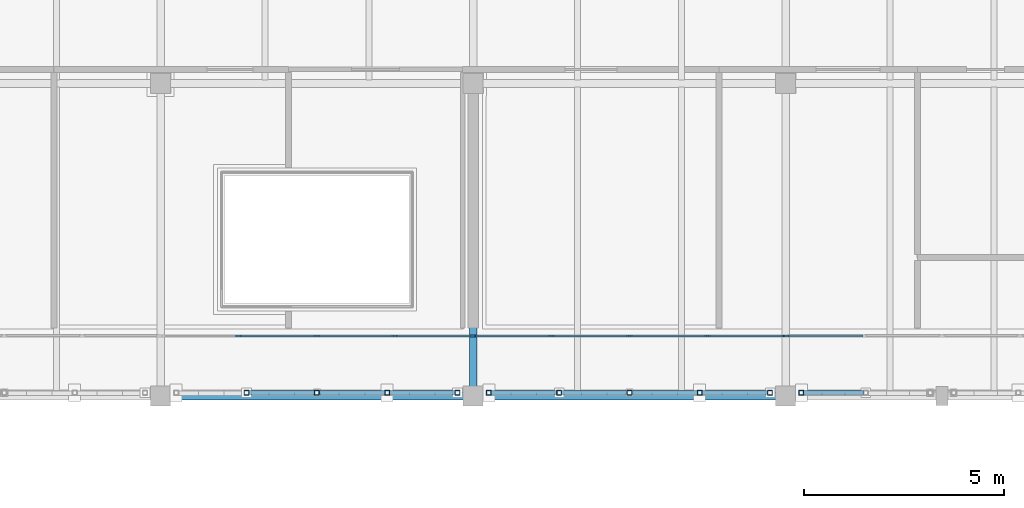
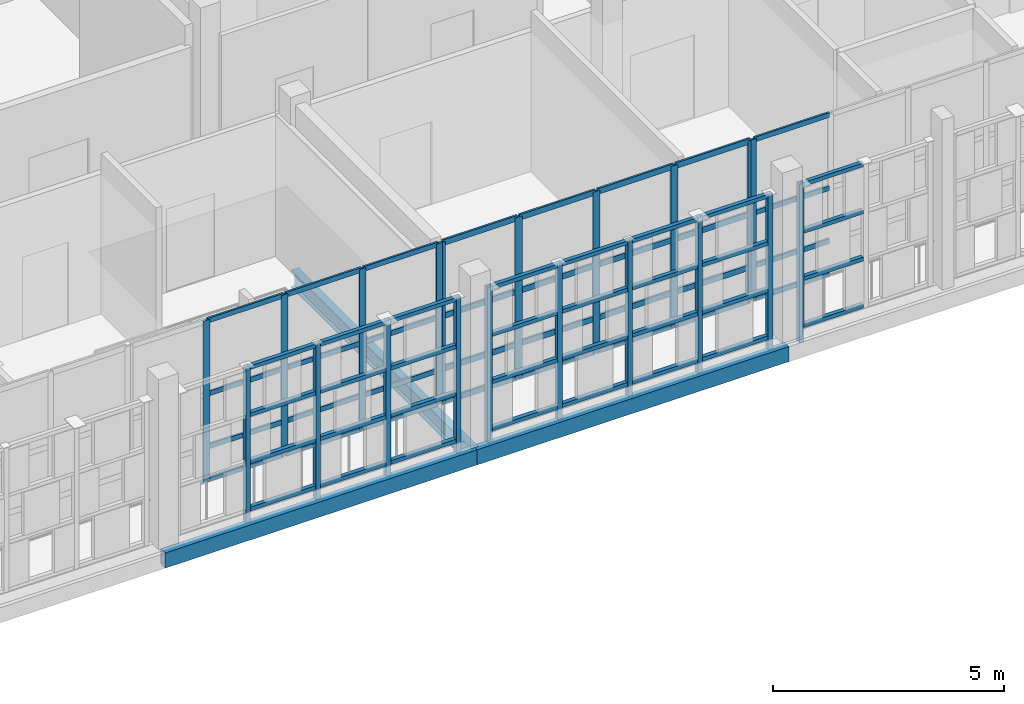
# One storey, part 35 of 89: 84 members, 3 beams, 3 elements without a shape of their own.
"""IFC4 building model written with IfcOpenShell, lengths in metres."""

from ifc_helpers import new_model, si_unit, direction, frame, origin, origin_2d, place, context, subcontext, project, spatial, rectangle, hollow_rectangle, i_section, extrude, material, layer, layer_set, material_profile, profile_set, type_object, element, aggregate, save


model = new_model("IFC4")

# Units and contexts
model_context = context("Model", 3, precision=1e-05, world=origin(), true_north=direction((0.0, 1.0)))
body_context = subcontext(model_context, "Body", "Model", "MODEL_VIEW")
ifc_project = project(units=[si_unit("LENGTHUNIT", "METRE"), si_unit("AREAUNIT", "SQUARE_METRE"), si_unit("VOLUMEUNIT", "CUBIC_METRE"), si_unit("PLANEANGLEUNIT", "RADIAN"), si_unit("MASSUNIT", "GRAM", prefix="KILO")], contexts=[model_context])

# Site, building, storey
site_placement = place(None, origin())
site = spatial("IfcSite", under=ifc_project, at=site_placement, CompositionType="ELEMENT")
building_placement = place(site_placement, origin())
building = spatial("IfcBuilding", under=site, at=building_placement, Name="Celorna Specialist Clinic", CompositionType="ELEMENT")
storey_placement = place(building_placement, frame((0.0, 0.0, 14.10009765625)))
storey = spatial("IfcBuildingStorey", under=building, at=storey_placement, Name="L03", CompositionType="ELEMENT", Elevation=14.10009765625)

# Beams
ifc_material_1 = material(Name="Steel S355", Category="steel")
ifc_material_profile_1 = material_profile(ifc_material_1, i_section(OverallWidth=0.18994140625, OverallDepth=0.449951171875, WebThickness=0.009521484375, FlangeThickness=0.0146484375, at=origin_2d()), Name="IPE 450")
ifc_profile_set_1 = profile_set([ifc_material_profile_1], Name="Steel S355")
beam_type_1 = type_object("IfcBeamType", Name="BM-09", PredefinedType="BEAM", material=ifc_profile_set_1)
beam_placement = place(storey_placement, frame((70.199951171875, 96.5, -0.485107421875), z_axis=(0.0, 1.0, 0.0), x_axis=(-1.0, 0.0, 0.0)))
element("IfcBeam", 1, at=beam_placement, inside=storey, type_object=beam_type_1, Name="Transverse girder BM-09 #1254", PredefinedType="BEAM", context=body_context, shape_type="SweptSolid", body=[
    extrude(i_section(OverallWidth=0.18994140625, OverallDepth=0.449951171875, WebThickness=0.009521484375, FlangeThickness=0.0146484375, at=origin_2d()), origin(), (0.0, 0.0, 1.0), 7.800048828125),
])
ifc_material_profile_2 = material_profile(ifc_material_1, hollow_rectangle(XDim=0.199951171875, YDim=0.39990234375, WallThickness=0.011962890625, at=origin_2d()), Name="RHS 200x400x12")
ifc_profile_set_2 = profile_set([ifc_material_profile_2], Name="Steel S355")
beam_type_2 = type_object("IfcBeamType", Name="BM-15", PredefinedType="SPANDREL", material=ifc_profile_set_2)
for number, where, z_axis, x_axis, name in (
    (2, (62.39990234375, 96.5, -0.460205078125), (1.0, 0.0, 0.0), (0.0, 1.0, 0.0), "Spandrel beam BM-15 #1203"),
    (3, (70.199951171875, 96.5, -0.460205078125), (1.0, 0.0, 0.0), (0.0, 1.0, 0.0), "Spandrel beam BM-15 #1204"),
):
    element("IfcBeam", number, at=place(storey_placement, frame(where, z_axis=z_axis, x_axis=x_axis)), inside=storey, type_object=beam_type_2, Name=name, PredefinedType="SPANDREL", context=body_context, shape_type="SweptSolid", body=[
        extrude(hollow_rectangle(XDim=0.199951171875, YDim=0.39990234375, WallThickness=0.011962890625, at=origin_2d()), origin(), (0.0, 0.0, 1.0), 7.800048828125),
    ])

# Members
ifc_material_profile_3 = material_profile(ifc_material_1, hollow_rectangle(XDim=0.1201171875, YDim=0.1201171875, WallThickness=0.008056640625, at=origin_2d()), Name="SHS 120x120x8")
ifc_profile_set_3 = profile_set([ifc_material_profile_3], Name="Steel S355")
member_type_1 = type_object("IfcMemberType", Name="MB-11", PredefinedType="STUD", material=ifc_profile_set_3)
for number, where, z_axis, x_axis, name in (
    (4, (64.544921875, 96.580078125, -0.360107421875), (0.0, 0.0, 1.0), (1.0, 0.0, 0.0), "Perforated screen steel post #1274"),
    (5, (66.300048828125, 96.580078125, -0.360107421875), (0.0, 0.0, 1.0), (1.0, 0.0, 0.0), "Perforated screen steel post #1275"),
    (6, (68.054931640625, 96.580078125, -0.360107421875), (0.0, 0.0, 1.0), (1.0, 0.0, 0.0), "Perforated screen steel post #1276"),
    (7, (69.81005859375, 96.580078125, -0.360107421875), (0.0, 0.0, 1.0), (1.0, 0.0, 0.0), "Perforated screen steel post #1277"),
    (8, (70.590087890625, 96.580078125, -0.360107421875), (0.0, 0.0, 1.0), (1.0, 0.0, 0.0), "Perforated screen steel post #1294"),
    (9, (72.344970703125, 96.580078125, -0.360107421875), (0.0, 0.0, 1.0), (1.0, 0.0, 0.0), "Perforated screen steel post #1295"),
    (10, (74.10009765625, 96.580078125, -0.360107421875), (0.0, 0.0, 1.0), (1.0, 0.0, 0.0), "Perforated screen steel post #1296"),
    (11, (75.85498046875, 96.580078125, -0.360107421875), (0.0, 0.0, 1.0), (1.0, 0.0, 0.0), "Perforated screen steel post #1297"),
    (12, (77.610107421875, 96.580078125, -0.360107421875), (0.0, 0.0, 1.0), (1.0, 0.0, 0.0), "Perforated screen steel post #1298"),
    (13, (78.389892578125, 96.580078125, -0.360107421875), (0.0, 0.0, 1.0), (1.0, 0.0, 0.0), "Perforated screen steel post #1315"),
):
    element("IfcMember", number, at=place(storey_placement, frame(where, z_axis=z_axis, x_axis=x_axis)), inside=storey, type_object=member_type_1, Name=name, PredefinedType="STUD", context=body_context, shape_type="SweptSolid", body=[
        extrude(hollow_rectangle(XDim=0.1201171875, YDim=0.1201171875, WallThickness=0.008056640625, at=origin_2d()), origin(), (0.0, 0.0, 1.0), 4.199951171875),
    ])
ifc_material_profile_4 = material_profile(ifc_material_1, hollow_rectangle(XDim=0.10009765625, YDim=0.10009765625, WallThickness=0.006103515625, at=origin_2d()), Name="SHS 100x100x6")
ifc_profile_set_4 = profile_set([ifc_material_profile_4], Name="Steel S355")
member_type_2 = type_object("IfcMemberType", Name="MB-12", PredefinedType="STUD", material=ifc_profile_set_4)
for number, where, z_axis, x_axis, name in (
    (14, (64.60498046875, 96.580078125, 0.0498046875), (1.0, 0.0, 0.0), (0.0, 1.0, 0.0), "Perforated screen rail #1282"),
    (15, (64.60498046875, 96.580078125, 1.296630859375), (1.0, 0.0, 0.0), (0.0, 1.0, 0.0), "Perforated screen rail #1283"),
    (16, (64.60498046875, 96.580078125, 2.543212890625), (1.0, 0.0, 0.0), (0.0, 1.0, 0.0), "Perforated screen rail #1284"),
    (17, (64.60498046875, 96.580078125, 3.789794921875), (1.0, 0.0, 0.0), (0.0, 1.0, 0.0), "Perforated screen rail #1285"),
    (18, (66.360107421875, 96.580078125, 0.0498046875), (1.0, 0.0, 0.0), (0.0, 1.0, 0.0), "Perforated screen rail #1286"),
    (19, (66.360107421875, 96.580078125, 1.296630859375), (1.0, 0.0, 0.0), (0.0, 1.0, 0.0), "Perforated screen rail #1287"),
    (20, (66.360107421875, 96.580078125, 2.543212890625), (1.0, 0.0, 0.0), (0.0, 1.0, 0.0), "Perforated screen rail #1288"),
    (21, (66.360107421875, 96.580078125, 3.789794921875), (1.0, 0.0, 0.0), (0.0, 1.0, 0.0), "Perforated screen rail #1289"),
    (22, (68.114990234375, 96.580078125, 0.0498046875), (1.0, 0.0, 0.0), (0.0, 1.0, 0.0), "Perforated screen rail #1290"),
    (23, (68.114990234375, 96.580078125, 1.296630859375), (1.0, 0.0, 0.0), (0.0, 1.0, 0.0), "Perforated screen rail #1291"),
    (24, (68.114990234375, 96.580078125, 2.543212890625), (1.0, 0.0, 0.0), (0.0, 1.0, 0.0), "Perforated screen rail #1292"),
    (25, (68.114990234375, 96.580078125, 3.789794921875), (1.0, 0.0, 0.0), (0.0, 1.0, 0.0), "Perforated screen rail #1293"),
    (26, (70.64990234375, 96.580078125, 0.0498046875), (1.0, 0.0, 0.0), (0.0, 1.0, 0.0), "Perforated screen rail #1299"),
    (27, (70.64990234375, 96.580078125, 1.296630859375), (1.0, 0.0, 0.0), (0.0, 1.0, 0.0), "Perforated screen rail #1300"),
    (28, (70.64990234375, 96.580078125, 2.543212890625), (1.0, 0.0, 0.0), (0.0, 1.0, 0.0), "Perforated screen rail #1301"),
    (29, (70.64990234375, 96.580078125, 3.789794921875), (1.0, 0.0, 0.0), (0.0, 1.0, 0.0), "Perforated screen rail #1302"),
    (30, (72.405029296875, 96.580078125, 0.0498046875), (1.0, 0.0, 0.0), (0.0, 1.0, 0.0), "Perforated screen rail #1303"),
    (31, (72.405029296875, 96.580078125, 1.296630859375), (1.0, 0.0, 0.0), (0.0, 1.0, 0.0), "Perforated screen rail #1304"),
    (32, (72.405029296875, 96.580078125, 2.543212890625), (1.0, 0.0, 0.0), (0.0, 1.0, 0.0), "Perforated screen rail #1305"),
    (33, (72.405029296875, 96.580078125, 3.789794921875), (1.0, 0.0, 0.0), (0.0, 1.0, 0.0), "Perforated screen rail #1306"),
    (34, (74.159912109375, 96.580078125, 0.0498046875), (1.0, 0.0, 0.0), (0.0, 1.0, 0.0), "Perforated screen rail #1307"),
    (35, (74.159912109375, 96.580078125, 1.296630859375), (1.0, 0.0, 0.0), (0.0, 1.0, 0.0), "Perforated screen rail #1308"),
    (36, (74.159912109375, 96.580078125, 2.543212890625), (1.0, 0.0, 0.0), (0.0, 1.0, 0.0), "Perforated screen rail #1309"),
    (37, (74.159912109375, 96.580078125, 3.789794921875), (1.0, 0.0, 0.0), (0.0, 1.0, 0.0), "Perforated screen rail #1310"),
    (38, (75.9150390625, 96.580078125, 0.0498046875), (1.0, 0.0, 0.0), (0.0, 1.0, 0.0), "Perforated screen rail #1311"),
    (39, (75.9150390625, 96.580078125, 1.296630859375), (1.0, 0.0, 0.0), (0.0, 1.0, 0.0), "Perforated screen rail #1312"),
    (40, (75.9150390625, 96.580078125, 2.543212890625), (1.0, 0.0, 0.0), (0.0, 1.0, 0.0), "Perforated screen rail #1313"),
    (41, (75.9150390625, 96.580078125, 3.789794921875), (1.0, 0.0, 0.0), (0.0, 1.0, 0.0), "Perforated screen rail #1314"),
):
    element("IfcMember", number, at=place(storey_placement, frame(where, z_axis=z_axis, x_axis=x_axis)), inside=storey, type_object=member_type_2, Name=name, PredefinedType="STUD", context=body_context, shape_type="SweptSolid", body=[
        extrude(hollow_rectangle(XDim=0.10009765625, YDim=0.10009765625, WallThickness=0.006103515625, at=origin_2d()), origin(), (0.0, 0.0, 1.0), 1.635009765625),
    ])
for number, where, z_axis, x_axis, name in (
    (42, (78.449951171875, 96.580078125, 0.0498046875), (1.0, 0.0, 0.0), (0.0, 1.0, 0.0), "Perforated screen rail #1318"),
    (43, (78.449951171875, 96.580078125, 1.296630859375), (1.0, 0.0, 0.0), (0.0, 1.0, 0.0), "Perforated screen rail #1319"),
    (44, (78.449951171875, 96.580078125, 2.543212890625), (1.0, 0.0, 0.0), (0.0, 1.0, 0.0), "Perforated screen rail #1320"),
    (45, (78.449951171875, 96.580078125, 3.789794921875), (1.0, 0.0, 0.0), (0.0, 1.0, 0.0), "Perforated screen rail #1321"),
):
    element("IfcMember", number, at=place(storey_placement, frame(where, z_axis=z_axis, x_axis=x_axis)), inside=storey, type_object=member_type_2, Name=name, PredefinedType="STUD", context=body_context, shape_type="SweptSolid", body=[
        extrude(hollow_rectangle(XDim=0.10009765625, YDim=0.10009765625, WallThickness=0.006103515625, at=origin_2d()), origin(), (0.0, 0.0, 1.0), 1.489990234375),
    ])

# Curtain wall, members
ifc_material_2 = material(Name="Thermally broken aluminium and solar-control glass curtain wall", Category="aluminium")
ifc_layer_1 = layer(ifc_material_2, 0.159912109375, Name="Thermally broken aluminium and solar-control glass curtain wall")
ifc_layer_set_1 = layer_set([ifc_layer_1], Name="Thermally broken aluminium and solar-control glass curtain wall")
curtain_wall_type_1 = type_object("IfcCurtainWallType", Name="CW-70", PredefinedType="NOTDEFINED", material=ifc_layer_set_1)
curtain_wall_1_placement = place(storey_placement, origin())
curtain_wall_1 = element("IfcCurtainWall", 46, at=curtain_wall_1_placement, inside=storey, type_object=curtain_wall_type_1, Name="Curtain wall CW-70 #130", PredefinedType="NOTDEFINED")
ifc_material_3 = material(Name="Anodized aluminium mullion", Category="aluminium")
ifc_material_profile_5 = material_profile(ifc_material_3, rectangle(XDim=0.050048828125, YDim=0.159912109375, at=origin_2d()), Name="ALU MULLION 50x160")
ifc_profile_set_5 = profile_set([ifc_material_profile_5], Name="Anodized aluminium mullion")
member_type_3 = type_object("IfcMemberType", Name="ML-01", PredefinedType="MULLION", material=ifc_profile_set_5)
member_1_placement = place(storey_placement, frame((70.1708984375, 98.0, 0.0), z_axis=(0.0, 0.0, 1.0), x_axis=(0.0, -1.0, 0.0)))
member_1 = element("IfcMember", 47, at=member_1_placement, type_object=member_type_3, Name="CW-70 mullion 1", PredefinedType="MULLION", context=body_context, shape_type="SweptSolid", body=[
    extrude(rectangle(XDim=0.050048828125, YDim=0.159912109375, at=origin_2d()), origin(), (0.0, 0.0, 1.0), 4.260009765625),
])
member_2_placement = place(storey_placement, frame((68.248046875, 98.0, 0.0), z_axis=(0.0, 0.0, 1.0), x_axis=(0.0, -1.0, 0.0)))
member_2 = element("IfcMember", 48, at=member_2_placement, type_object=member_type_3, Name="CW-70 mullion 2", PredefinedType="MULLION", context=body_context, shape_type="SweptSolid", body=[
    extrude(rectangle(XDim=0.050048828125, YDim=0.159912109375, at=origin_2d()), origin(), (0.0, 0.0, 1.0), 4.260009765625),
])
member_3_placement = place(storey_placement, frame((66.300048828125, 98.0, 0.0), z_axis=(0.0, 0.0, 1.0), x_axis=(0.0, -1.0, 0.0)))
member_3 = element("IfcMember", 49, at=member_3_placement, type_object=member_type_3, Name="CW-70 mullion 3", PredefinedType="MULLION", context=body_context, shape_type="SweptSolid", body=[
    extrude(rectangle(XDim=0.050048828125, YDim=0.159912109375, at=origin_2d()), origin(), (0.0, 0.0, 1.0), 4.260009765625),
])
member_4_placement = place(storey_placement, frame((64.35205078125, 98.0, 0.0), z_axis=(0.0, 0.0, 1.0), x_axis=(0.0, -1.0, 0.0)))
member_4 = element("IfcMember", 50, at=member_4_placement, type_object=member_type_3, Name="CW-70 mullion 4", PredefinedType="MULLION", context=body_context, shape_type="SweptSolid", body=[
    extrude(rectangle(XDim=0.050048828125, YDim=0.159912109375, at=origin_2d()), origin(), (0.0, 0.0, 1.0), 4.260009765625),
])

ifc_layer_2 = layer(ifc_material_2, 0.159912109375, Name="Thermally broken aluminium and solar-control glass curtain wall")
ifc_layer_set_2 = layer_set([ifc_layer_2], Name="Thermally broken aluminium and solar-control glass curtain wall")
curtain_wall_type_2 = type_object("IfcCurtainWallType", Name="CW-71", PredefinedType="NOTDEFINED", material=ifc_layer_set_2)
curtain_wall_2_placement = place(storey_placement, origin())
curtain_wall_2 = element("IfcCurtainWall", 51, at=curtain_wall_2_placement, inside=storey, type_object=curtain_wall_type_2, Name="Curtain wall CW-71 #131", PredefinedType="NOTDEFINED")
ifc_material_profile_6 = material_profile(ifc_material_3, rectangle(XDim=0.050048828125, YDim=0.179931640625, at=origin_2d()), Name="ALU MULLION 50x180")
ifc_profile_set_6 = profile_set([ifc_material_profile_6], Name="Anodized aluminium mullion")
member_type_4 = type_object("IfcMemberType", Name="ML-02", PredefinedType="MULLION", material=ifc_profile_set_6)
member_5_placement = place(storey_placement, frame((77.970947265625, 98.0, 0.0), z_axis=(0.0, 0.0, 1.0), x_axis=(0.0, -1.0, 0.0)))
member_5 = element("IfcMember", 52, at=member_5_placement, type_object=member_type_4, Name="CW-71 mullion 1", PredefinedType="MULLION", context=body_context, shape_type="SweptSolid", body=[
    extrude(rectangle(XDim=0.050048828125, YDim=0.179931640625, at=origin_2d()), origin(), (0.0, 0.0, 1.0), 4.260009765625),
])
member_6_placement = place(storey_placement, frame((76.048095703125, 98.0, 0.0), z_axis=(0.0, 0.0, 1.0), x_axis=(0.0, -1.0, 0.0)))
member_6 = element("IfcMember", 53, at=member_6_placement, type_object=member_type_4, Name="CW-71 mullion 2", PredefinedType="MULLION", context=body_context, shape_type="SweptSolid", body=[
    extrude(rectangle(XDim=0.050048828125, YDim=0.179931640625, at=origin_2d()), origin(), (0.0, 0.0, 1.0), 4.260009765625),
])
member_7_placement = place(storey_placement, frame((74.10009765625, 98.0, 0.0), z_axis=(0.0, 0.0, 1.0), x_axis=(0.0, -1.0, 0.0)))
member_7 = element("IfcMember", 54, at=member_7_placement, type_object=member_type_4, Name="CW-71 mullion 3", PredefinedType="MULLION", context=body_context, shape_type="SweptSolid", body=[
    extrude(rectangle(XDim=0.050048828125, YDim=0.179931640625, at=origin_2d()), origin(), (0.0, 0.0, 1.0), 4.260009765625),
])
member_8_placement = place(storey_placement, frame((72.152099609375, 98.0, 0.0), z_axis=(0.0, 0.0, 1.0), x_axis=(0.0, -1.0, 0.0)))
member_8 = element("IfcMember", 55, at=member_8_placement, type_object=member_type_4, Name="CW-71 mullion 4", PredefinedType="MULLION", context=body_context, shape_type="SweptSolid", body=[
    extrude(rectangle(XDim=0.050048828125, YDim=0.179931640625, at=origin_2d()), origin(), (0.0, 0.0, 1.0), 4.260009765625),
])
member_9_placement = place(storey_placement, frame((70.22900390625, 98.0, 0.0), z_axis=(0.0, 0.0, 1.0), x_axis=(0.0, -1.0, 0.0)))
member_9 = element("IfcMember", 56, at=member_9_placement, type_object=member_type_4, Name="CW-71 mullion 5", PredefinedType="MULLION", context=body_context, shape_type="SweptSolid", body=[
    extrude(rectangle(XDim=0.050048828125, YDim=0.179931640625, at=origin_2d()), origin(), (0.0, 0.0, 1.0), 4.260009765625),
])

# Curtain wall, member
ifc_layer_3 = layer(ifc_material_2, 0.159912109375, Name="Thermally broken aluminium and solar-control glass curtain wall")
ifc_layer_set_3 = layer_set([ifc_layer_3], Name="Thermally broken aluminium and solar-control glass curtain wall")
curtain_wall_type_3 = type_object("IfcCurtainWallType", Name="CW-69", PredefinedType="NOTDEFINED", material=ifc_layer_set_3)
curtain_wall_3_placement = place(storey_placement, origin())
curtain_wall_3 = element("IfcCurtainWall", 57, at=curtain_wall_3_placement, inside=storey, type_object=curtain_wall_type_3, Name="Curtain wall CW-69 #132", PredefinedType="NOTDEFINED")
ifc_material_profile_7 = material_profile(ifc_material_3, rectangle(XDim=0.050048828125, YDim=0.139892578125, at=origin_2d()), Name="ALU MULLION 50x140")
ifc_profile_set_7 = profile_set([ifc_material_profile_7], Name="Anodized aluminium mullion")
member_type_5 = type_object("IfcMemberType", Name="ML-03", PredefinedType="MULLION", material=ifc_profile_set_7)
member_10_placement = place(storey_placement, frame((78.029052734375, 98.0, 0.0), z_axis=(0.0, 0.0, 1.0), x_axis=(0.0, -1.0, 0.0)))
member_10 = element("IfcMember", 58, at=member_10_placement, type_object=member_type_5, Name="CW-69 mullion 5", PredefinedType="MULLION", context=body_context, shape_type="SweptSolid", body=[
    extrude(rectangle(XDim=0.050048828125, YDim=0.139892578125, at=origin_2d()), origin(), (0.0, 0.0, 1.0), 4.260009765625),
])

# Member
ifc_material_4 = material(Name="Anodized aluminium transom", Category="aluminium")
ifc_material_profile_8 = material_profile(ifc_material_4, rectangle(XDim=0.050048828125, YDim=0.1298828125, at=origin_2d()), Name="ALU TRANSOM 50x130")
ifc_profile_set_8 = profile_set([ifc_material_profile_8], Name="Anodized aluminium transom")
member_type_6 = type_object("IfcMemberType", Name="TR-01", PredefinedType="USERDEFINED", material=ifc_profile_set_8)
member_11_placement = place(storey_placement, frame((70.14599609375, 98.0, 0.02490234375), z_axis=(-1.0, 0.0, 0.0), x_axis=(0.0, -1.0, 0.0)))
member_11 = element("IfcMember", 59, at=member_11_placement, type_object=member_type_6, Name="CW-70 transom 1.1", ObjectType="TRANSOM", PredefinedType="USERDEFINED", context=body_context, shape_type="SweptSolid", body=[
    extrude(rectangle(XDim=0.050048828125, YDim=0.1298828125, at=origin_2d()), origin(), (0.0, 0.0, 1.0), 1.873046875),
])

member_12_placement = place(storey_placement, frame((70.14599609375, 98.0, 0.89990234375), z_axis=(-1.0, 0.0, 0.0), x_axis=(0.0, -1.0, 0.0)))
member_12 = element("IfcMember", 60, at=member_12_placement, type_object=member_type_6, Name="CW-70 transom 1.2", ObjectType="TRANSOM", PredefinedType="USERDEFINED", context=body_context, shape_type="SweptSolid", body=[
    extrude(rectangle(XDim=0.050048828125, YDim=0.1298828125, at=origin_2d()), origin(), (0.0, 0.0, 1.0), 1.873046875),
])

member_13_placement = place(storey_placement, frame((70.14599609375, 98.0, 2.2998046875), z_axis=(-1.0, 0.0, 0.0), x_axis=(0.0, -1.0, 0.0)))
member_13 = element("IfcMember", 61, at=member_13_placement, type_object=member_type_6, Name="CW-70 transom 1.3", ObjectType="TRANSOM", PredefinedType="USERDEFINED", context=body_context, shape_type="SweptSolid", body=[
    extrude(rectangle(XDim=0.050048828125, YDim=0.1298828125, at=origin_2d()), origin(), (0.0, 0.0, 1.0), 1.873046875),
])

member_14_placement = place(storey_placement, frame((70.14599609375, 98.0, 4.23486328125), z_axis=(-1.0, 0.0, 0.0), x_axis=(0.0, -1.0, 0.0)))
member_14 = element("IfcMember", 62, at=member_14_placement, type_object=member_type_6, Name="CW-70 transom 1.4", ObjectType="TRANSOM", PredefinedType="USERDEFINED", context=body_context, shape_type="SweptSolid", body=[
    extrude(rectangle(XDim=0.050048828125, YDim=0.1298828125, at=origin_2d()), origin(), (0.0, 0.0, 1.0), 1.873046875),
])

member_15_placement = place(storey_placement, frame((68.222900390625, 98.0, 0.02490234375), z_axis=(-1.0, 0.0, 0.0), x_axis=(0.0, -1.0, 0.0)))
member_15 = element("IfcMember", 63, at=member_15_placement, type_object=member_type_6, Name="CW-70 transom 2.1", ObjectType="TRANSOM", PredefinedType="USERDEFINED", context=body_context, shape_type="SweptSolid", body=[
    extrude(rectangle(XDim=0.050048828125, YDim=0.1298828125, at=origin_2d()), origin(), (0.0, 0.0, 1.0), 1.89794921875),
])

member_16_placement = place(storey_placement, frame((68.222900390625, 98.0, 0.89990234375), z_axis=(-1.0, 0.0, 0.0), x_axis=(0.0, -1.0, 0.0)))
member_16 = element("IfcMember", 64, at=member_16_placement, type_object=member_type_6, Name="CW-70 transom 2.2", ObjectType="TRANSOM", PredefinedType="USERDEFINED", context=body_context, shape_type="SweptSolid", body=[
    extrude(rectangle(XDim=0.050048828125, YDim=0.1298828125, at=origin_2d()), origin(), (0.0, 0.0, 1.0), 1.89794921875),
])

member_17_placement = place(storey_placement, frame((68.222900390625, 98.0, 2.2998046875), z_axis=(-1.0, 0.0, 0.0), x_axis=(0.0, -1.0, 0.0)))
member_17 = element("IfcMember", 65, at=member_17_placement, type_object=member_type_6, Name="CW-70 transom 2.3", ObjectType="TRANSOM", PredefinedType="USERDEFINED", context=body_context, shape_type="SweptSolid", body=[
    extrude(rectangle(XDim=0.050048828125, YDim=0.1298828125, at=origin_2d()), origin(), (0.0, 0.0, 1.0), 1.89794921875),
])

member_18_placement = place(storey_placement, frame((68.222900390625, 98.0, 4.23486328125), z_axis=(-1.0, 0.0, 0.0), x_axis=(0.0, -1.0, 0.0)))
member_18 = element("IfcMember", 66, at=member_18_placement, type_object=member_type_6, Name="CW-70 transom 2.4", ObjectType="TRANSOM", PredefinedType="USERDEFINED", context=body_context, shape_type="SweptSolid", body=[
    extrude(rectangle(XDim=0.050048828125, YDim=0.1298828125, at=origin_2d()), origin(), (0.0, 0.0, 1.0), 1.89794921875),
])

member_19_placement = place(storey_placement, frame((66.27490234375, 98.0, 0.02490234375), z_axis=(-1.0, 0.0, 0.0), x_axis=(0.0, -1.0, 0.0)))
member_19 = element("IfcMember", 67, at=member_19_placement, type_object=member_type_6, Name="CW-70 transom 3.1", ObjectType="TRANSOM", PredefinedType="USERDEFINED", context=body_context, shape_type="SweptSolid", body=[
    extrude(rectangle(XDim=0.050048828125, YDim=0.1298828125, at=origin_2d()), origin(), (0.0, 0.0, 1.0), 1.89794921875),
])

member_20_placement = place(storey_placement, frame((66.27490234375, 98.0, 0.89990234375), z_axis=(-1.0, 0.0, 0.0), x_axis=(0.0, -1.0, 0.0)))
member_20 = element("IfcMember", 68, at=member_20_placement, type_object=member_type_6, Name="CW-70 transom 3.2", ObjectType="TRANSOM", PredefinedType="USERDEFINED", context=body_context, shape_type="SweptSolid", body=[
    extrude(rectangle(XDim=0.050048828125, YDim=0.1298828125, at=origin_2d()), origin(), (0.0, 0.0, 1.0), 1.89794921875),
])

member_21_placement = place(storey_placement, frame((66.27490234375, 98.0, 2.2998046875), z_axis=(-1.0, 0.0, 0.0), x_axis=(0.0, -1.0, 0.0)))
member_21 = element("IfcMember", 69, at=member_21_placement, type_object=member_type_6, Name="CW-70 transom 3.3", ObjectType="TRANSOM", PredefinedType="USERDEFINED", context=body_context, shape_type="SweptSolid", body=[
    extrude(rectangle(XDim=0.050048828125, YDim=0.1298828125, at=origin_2d()), origin(), (0.0, 0.0, 1.0), 1.89794921875),
])

member_22_placement = place(storey_placement, frame((66.27490234375, 98.0, 4.23486328125), z_axis=(-1.0, 0.0, 0.0), x_axis=(0.0, -1.0, 0.0)))
member_22 = element("IfcMember", 70, at=member_22_placement, type_object=member_type_6, Name="CW-70 transom 3.4", ObjectType="TRANSOM", PredefinedType="USERDEFINED", context=body_context, shape_type="SweptSolid", body=[
    extrude(rectangle(XDim=0.050048828125, YDim=0.1298828125, at=origin_2d()), origin(), (0.0, 0.0, 1.0), 1.89794921875),
])

aggregate(curtain_wall_1, [member_1, member_2, member_3, member_4, member_11, member_12, member_13, member_14, member_15, member_16, member_17, member_18, member_19, member_20, member_21, member_22])

member_23_placement = place(storey_placement, frame((79.927001953125, 98.0, 0.02490234375), z_axis=(-1.0, 0.0, 0.0), x_axis=(0.0, -1.0, 0.0)))
member_23 = element("IfcMember", 71, at=member_23_placement, type_object=member_type_6, Name="CW-69 transom 4.1", ObjectType="TRANSOM", PredefinedType="USERDEFINED", context=body_context, shape_type="SweptSolid", body=[
    extrude(rectangle(XDim=0.050048828125, YDim=0.1298828125, at=origin_2d()), origin(), (0.0, 0.0, 1.0), 1.873046875),
])

member_24_placement = place(storey_placement, frame((79.927001953125, 98.0, 0.89990234375), z_axis=(-1.0, 0.0, 0.0), x_axis=(0.0, -1.0, 0.0)))
member_24 = element("IfcMember", 72, at=member_24_placement, type_object=member_type_6, Name="CW-69 transom 4.2", ObjectType="TRANSOM", PredefinedType="USERDEFINED", context=body_context, shape_type="SweptSolid", body=[
    extrude(rectangle(XDim=0.050048828125, YDim=0.1298828125, at=origin_2d()), origin(), (0.0, 0.0, 1.0), 1.873046875),
])

member_25_placement = place(storey_placement, frame((79.927001953125, 98.0, 2.2998046875), z_axis=(-1.0, 0.0, 0.0), x_axis=(0.0, -1.0, 0.0)))
member_25 = element("IfcMember", 73, at=member_25_placement, type_object=member_type_6, Name="CW-69 transom 4.3", ObjectType="TRANSOM", PredefinedType="USERDEFINED", context=body_context, shape_type="SweptSolid", body=[
    extrude(rectangle(XDim=0.050048828125, YDim=0.1298828125, at=origin_2d()), origin(), (0.0, 0.0, 1.0), 1.873046875),
])

member_26_placement = place(storey_placement, frame((79.927001953125, 98.0, 4.23486328125), z_axis=(-1.0, 0.0, 0.0), x_axis=(0.0, -1.0, 0.0)))
member_26 = element("IfcMember", 74, at=member_26_placement, type_object=member_type_6, Name="CW-69 transom 4.4", ObjectType="TRANSOM", PredefinedType="USERDEFINED", context=body_context, shape_type="SweptSolid", body=[
    extrude(rectangle(XDim=0.050048828125, YDim=0.1298828125, at=origin_2d()), origin(), (0.0, 0.0, 1.0), 1.873046875),
])

aggregate(curtain_wall_3, [member_10, member_23, member_24, member_25, member_26])

ifc_material_profile_9 = material_profile(ifc_material_4, rectangle(XDim=0.050048828125, YDim=0.14990234375, at=origin_2d()), Name="ALU TRANSOM 50x150")
ifc_profile_set_9 = profile_set([ifc_material_profile_9], Name="Anodized aluminium transom")
member_type_7 = type_object("IfcMemberType", Name="TR-02", PredefinedType="USERDEFINED", material=ifc_profile_set_9)
member_27_placement = place(storey_placement, frame((77.946044921875, 98.0, 0.02490234375), z_axis=(-1.0, 0.0, 0.0), x_axis=(0.0, -1.0, 0.0)))
member_27 = element("IfcMember", 75, at=member_27_placement, type_object=member_type_7, Name="CW-71 transom 1.1", ObjectType="TRANSOM", PredefinedType="USERDEFINED", context=body_context, shape_type="SweptSolid", body=[
    extrude(rectangle(XDim=0.050048828125, YDim=0.14990234375, at=origin_2d()), origin(), (0.0, 0.0, 1.0), 1.873046875),
])

member_28_placement = place(storey_placement, frame((77.946044921875, 98.0, 0.89990234375), z_axis=(-1.0, 0.0, 0.0), x_axis=(0.0, -1.0, 0.0)))
member_28 = element("IfcMember", 76, at=member_28_placement, type_object=member_type_7, Name="CW-71 transom 1.2", ObjectType="TRANSOM", PredefinedType="USERDEFINED", context=body_context, shape_type="SweptSolid", body=[
    extrude(rectangle(XDim=0.050048828125, YDim=0.14990234375, at=origin_2d()), origin(), (0.0, 0.0, 1.0), 1.873046875),
])

member_29_placement = place(storey_placement, frame((77.946044921875, 98.0, 2.2998046875), z_axis=(-1.0, 0.0, 0.0), x_axis=(0.0, -1.0, 0.0)))
member_29 = element("IfcMember", 77, at=member_29_placement, type_object=member_type_7, Name="CW-71 transom 1.3", ObjectType="TRANSOM", PredefinedType="USERDEFINED", context=body_context, shape_type="SweptSolid", body=[
    extrude(rectangle(XDim=0.050048828125, YDim=0.14990234375, at=origin_2d()), origin(), (0.0, 0.0, 1.0), 1.873046875),
])

member_30_placement = place(storey_placement, frame((77.946044921875, 98.0, 4.23486328125), z_axis=(-1.0, 0.0, 0.0), x_axis=(0.0, -1.0, 0.0)))
member_30 = element("IfcMember", 78, at=member_30_placement, type_object=member_type_7, Name="CW-71 transom 1.4", ObjectType="TRANSOM", PredefinedType="USERDEFINED", context=body_context, shape_type="SweptSolid", body=[
    extrude(rectangle(XDim=0.050048828125, YDim=0.14990234375, at=origin_2d()), origin(), (0.0, 0.0, 1.0), 1.873046875),
])

member_31_placement = place(storey_placement, frame((76.02294921875, 98.0, 0.02490234375), z_axis=(-1.0, 0.0, 0.0), x_axis=(0.0, -1.0, 0.0)))
member_31 = element("IfcMember", 79, at=member_31_placement, type_object=member_type_7, Name="CW-71 transom 2.1", ObjectType="TRANSOM", PredefinedType="USERDEFINED", context=body_context, shape_type="SweptSolid", body=[
    extrude(rectangle(XDim=0.050048828125, YDim=0.14990234375, at=origin_2d()), origin(), (0.0, 0.0, 1.0), 1.89794921875),
])

member_32_placement = place(storey_placement, frame((76.02294921875, 98.0, 0.89990234375), z_axis=(-1.0, 0.0, 0.0), x_axis=(0.0, -1.0, 0.0)))
member_32 = element("IfcMember", 80, at=member_32_placement, type_object=member_type_7, Name="CW-71 transom 2.2", ObjectType="TRANSOM", PredefinedType="USERDEFINED", context=body_context, shape_type="SweptSolid", body=[
    extrude(rectangle(XDim=0.050048828125, YDim=0.14990234375, at=origin_2d()), origin(), (0.0, 0.0, 1.0), 1.89794921875),
])

member_33_placement = place(storey_placement, frame((76.02294921875, 98.0, 2.2998046875), z_axis=(-1.0, 0.0, 0.0), x_axis=(0.0, -1.0, 0.0)))
member_33 = element("IfcMember", 81, at=member_33_placement, type_object=member_type_7, Name="CW-71 transom 2.3", ObjectType="TRANSOM", PredefinedType="USERDEFINED", context=body_context, shape_type="SweptSolid", body=[
    extrude(rectangle(XDim=0.050048828125, YDim=0.14990234375, at=origin_2d()), origin(), (0.0, 0.0, 1.0), 1.89794921875),
])

member_34_placement = place(storey_placement, frame((76.02294921875, 98.0, 4.23486328125), z_axis=(-1.0, 0.0, 0.0), x_axis=(0.0, -1.0, 0.0)))
member_34 = element("IfcMember", 82, at=member_34_placement, type_object=member_type_7, Name="CW-71 transom 2.4", ObjectType="TRANSOM", PredefinedType="USERDEFINED", context=body_context, shape_type="SweptSolid", body=[
    extrude(rectangle(XDim=0.050048828125, YDim=0.14990234375, at=origin_2d()), origin(), (0.0, 0.0, 1.0), 1.89794921875),
])

member_35_placement = place(storey_placement, frame((74.074951171875, 98.0, 0.02490234375), z_axis=(-1.0, 0.0, 0.0), x_axis=(0.0, -1.0, 0.0)))
member_35 = element("IfcMember", 83, at=member_35_placement, type_object=member_type_7, Name="CW-71 transom 3.1", ObjectType="TRANSOM", PredefinedType="USERDEFINED", context=body_context, shape_type="SweptSolid", body=[
    extrude(rectangle(XDim=0.050048828125, YDim=0.14990234375, at=origin_2d()), origin(), (0.0, 0.0, 1.0), 1.89794921875),
])

member_36_placement = place(storey_placement, frame((74.074951171875, 98.0, 0.89990234375), z_axis=(-1.0, 0.0, 0.0), x_axis=(0.0, -1.0, 0.0)))
member_36 = element("IfcMember", 84, at=member_36_placement, type_object=member_type_7, Name="CW-71 transom 3.2", ObjectType="TRANSOM", PredefinedType="USERDEFINED", context=body_context, shape_type="SweptSolid", body=[
    extrude(rectangle(XDim=0.050048828125, YDim=0.14990234375, at=origin_2d()), origin(), (0.0, 0.0, 1.0), 1.89794921875),
])

member_37_placement = place(storey_placement, frame((74.074951171875, 98.0, 2.2998046875), z_axis=(-1.0, 0.0, 0.0), x_axis=(0.0, -1.0, 0.0)))
member_37 = element("IfcMember", 85, at=member_37_placement, type_object=member_type_7, Name="CW-71 transom 3.3", ObjectType="TRANSOM", PredefinedType="USERDEFINED", context=body_context, shape_type="SweptSolid", body=[
    extrude(rectangle(XDim=0.050048828125, YDim=0.14990234375, at=origin_2d()), origin(), (0.0, 0.0, 1.0), 1.89794921875),
])

member_38_placement = place(storey_placement, frame((74.074951171875, 98.0, 4.23486328125), z_axis=(-1.0, 0.0, 0.0), x_axis=(0.0, -1.0, 0.0)))
member_38 = element("IfcMember", 86, at=member_38_placement, type_object=member_type_7, Name="CW-71 transom 3.4", ObjectType="TRANSOM", PredefinedType="USERDEFINED", context=body_context, shape_type="SweptSolid", body=[
    extrude(rectangle(XDim=0.050048828125, YDim=0.14990234375, at=origin_2d()), origin(), (0.0, 0.0, 1.0), 1.89794921875),
])

member_39_placement = place(storey_placement, frame((72.126953125, 98.0, 0.02490234375), z_axis=(-1.0, 0.0, 0.0), x_axis=(0.0, -1.0, 0.0)))
member_39 = element("IfcMember", 87, at=member_39_placement, type_object=member_type_7, Name="CW-71 transom 4.1", ObjectType="TRANSOM", PredefinedType="USERDEFINED", context=body_context, shape_type="SweptSolid", body=[
    extrude(rectangle(XDim=0.050048828125, YDim=0.14990234375, at=origin_2d()), origin(), (0.0, 0.0, 1.0), 1.873046875),
])

member_40_placement = place(storey_placement, frame((72.126953125, 98.0, 0.89990234375), z_axis=(-1.0, 0.0, 0.0), x_axis=(0.0, -1.0, 0.0)))
member_40 = element("IfcMember", 88, at=member_40_placement, type_object=member_type_7, Name="CW-71 transom 4.2", ObjectType="TRANSOM", PredefinedType="USERDEFINED", context=body_context, shape_type="SweptSolid", body=[
    extrude(rectangle(XDim=0.050048828125, YDim=0.14990234375, at=origin_2d()), origin(), (0.0, 0.0, 1.0), 1.873046875),
])

member_41_placement = place(storey_placement, frame((72.126953125, 98.0, 2.2998046875), z_axis=(-1.0, 0.0, 0.0), x_axis=(0.0, -1.0, 0.0)))
member_41 = element("IfcMember", 89, at=member_41_placement, type_object=member_type_7, Name="CW-71 transom 4.3", ObjectType="TRANSOM", PredefinedType="USERDEFINED", context=body_context, shape_type="SweptSolid", body=[
    extrude(rectangle(XDim=0.050048828125, YDim=0.14990234375, at=origin_2d()), origin(), (0.0, 0.0, 1.0), 1.873046875),
])

member_42_placement = place(storey_placement, frame((72.126953125, 98.0, 4.23486328125), z_axis=(-1.0, 0.0, 0.0), x_axis=(0.0, -1.0, 0.0)))
member_42 = element("IfcMember", 90, at=member_42_placement, type_object=member_type_7, Name="CW-71 transom 4.4", ObjectType="TRANSOM", PredefinedType="USERDEFINED", context=body_context, shape_type="SweptSolid", body=[
    extrude(rectangle(XDim=0.050048828125, YDim=0.14990234375, at=origin_2d()), origin(), (0.0, 0.0, 1.0), 1.873046875),
])

aggregate(curtain_wall_2, [member_5, member_6, member_7, member_8, member_9, member_27, member_28, member_29, member_30, member_31, member_32, member_33, member_34, member_35, member_36, member_37, member_38, member_39, member_40, member_41, member_42])

save(model, "model.ifc")
